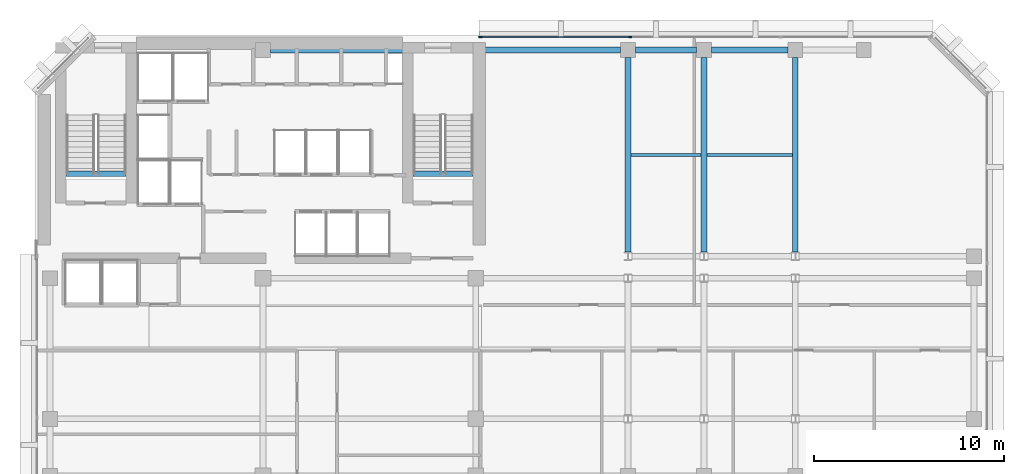
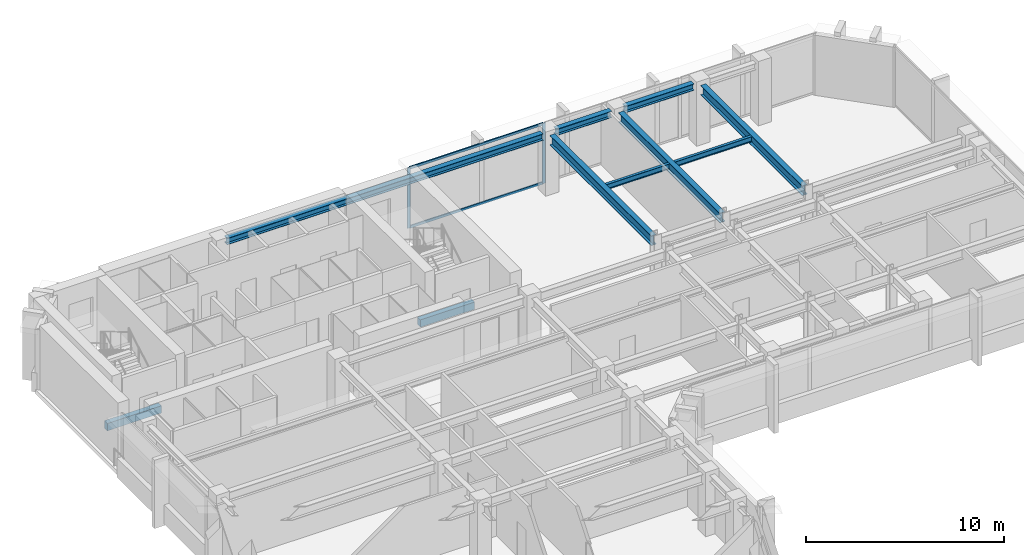
# One storey, part 4 of 12: 10 beams, 4 members, 1 element without a shape of its own.
"""IFC4 building model written with IfcOpenShell, lengths in metres."""

import ifcopenshell
import ifcopenshell.guid

model = None  # the IFC model being written
_history = None  # IfcOwnerHistory: only IFC2X3 demands one
_inside = {}  # id of a spatial element -> (the spatial element, [elements in it])
_under = {}  # id of a project, library or spatial element -> (it, [spatial elements below it])
_declared = {}  # id of a project -> (the project, [libraries it declares])
_typed = {}  # id of a type object -> (the type object, [elements of that type])
_made_of = {}  # id of a material, layer set ... -> (it, [elements and type objects made of it])


def new_model(schema):
    """Start an empty IFC model of exactly this schema.

    Asked for "IFC4X3", IfcOpenShell would pick the latest addendum, in which some entities
    have other attributes; the version numbers below select the first issue.
    IFC2X3 requires an IfcOwnerHistory on every rooted entity: one is made here for all.
    """
    global model, _history
    if schema == "IFC4X3":
        model = ifcopenshell.file(schema_version=(4, 3, 0, 0))
    else:
        model = ifcopenshell.file(schema=schema)
    _inside.clear()
    _under.clear()
    _declared.clear()
    _typed.clear()
    _made_of.clear()
    _history = None
    if model.schema == "IFC2X3":
        org = make("IfcOrganization", Name="unknown")
        user = make(
            "IfcPersonAndOrganization",
            ThePerson=make("IfcPerson", FamilyName="unknown"),
            TheOrganization=org,
        )
        app = make(
            "IfcApplication",
            ApplicationDeveloper=org,
            Version="unknown",
            ApplicationFullName="unknown",
            ApplicationIdentifier="unknown",
        )
        _history = make(
            "IfcOwnerHistory",
            OwningUser=user,
            OwningApplication=app,
            ChangeAction="ADDED",
            CreationDate=0,
        )
    return model


def make(cls, **values):
    """One entity of the class cls with the attributes given. An attribute that is None is left unset."""
    return model.create_entity(
        cls, **{name: value for name, value in values.items() if value is not None}
    )


def rooted(cls, **values):
    """An entity with a GlobalId (a new one), such as an element, a storey or a relation."""
    return make(cls, GlobalId=ifcopenshell.guid.new(), OwnerHistory=_history, **values)


def si_unit(unit_type, name, prefix=None):
    """IfcSIUnit, for example si_unit("LENGTHUNIT", "METRE", prefix="MILLI")."""
    return make("IfcSIUnit", UnitType=unit_type, Prefix=prefix, Name=name)


def assignment(units):
    """IfcUnitAssignment: the units of a project."""
    return None if units is None else make("IfcUnitAssignment", Units=units)


def point(xyz):
    """IfcCartesianPoint."""
    return None if xyz is None else make("IfcCartesianPoint", Coordinates=xyz)


def direction(xyz):
    """IfcDirection."""
    return None if xyz is None else make("IfcDirection", DirectionRatios=xyz)


def frame(location, z_axis=None, x_axis=None):
    """IfcAxis2Placement3D, a coordinate frame: its origin and axes. An axis left out is left unset."""
    return make(
        "IfcAxis2Placement3D",
        Location=point(location),
        Axis=direction(z_axis),
        RefDirection=direction(x_axis),
    )


def frame_2d(location, x_axis=None):
    """IfcAxis2Placement2D, a coordinate frame in the plane: its origin and x axis."""
    return make(
        "IfcAxis2Placement2D", Location=point(location), RefDirection=direction(x_axis)
    )


def origin():
    """The frame at (0, 0, 0) with its axes left unset."""
    return frame((0.0, 0.0, 0.0))


def origin_2d():
    """The frame at (0, 0) in the plane with its x axis left unset."""
    return frame_2d((0.0, 0.0))


def place(relative_to, where):
    """IfcLocalPlacement: puts the frame where relative to a parent placement (None: the world)."""
    return make(
        "IfcLocalPlacement", PlacementRelTo=relative_to, RelativePlacement=where
    )


def context(
    kind, dimensions, precision=None, world=None, true_north=None, identifier=None
):
    """IfcGeometricRepresentationContext, for example the 3D "Model" context."""
    return make(
        "IfcGeometricRepresentationContext",
        ContextIdentifier=identifier,
        ContextType=kind,
        CoordinateSpaceDimension=dimensions,
        Precision=precision,
        WorldCoordinateSystem=world,
        TrueNorth=true_north,
    )


def subcontext(parent, identifier, kind, view, scale=None):
    """IfcGeometricRepresentationSubContext, for example "Body" below "Model"."""
    return make(
        "IfcGeometricRepresentationSubContext",
        ContextIdentifier=identifier,
        ContextType=kind,
        ParentContext=parent,
        TargetScale=scale,
        TargetView=view,
    )


def project(units=None, contexts=None):
    """IfcProject with its units and contexts."""
    return rooted(
        "IfcProject",
        Name="project",
        RepresentationContexts=contexts,
        UnitsInContext=assignment(units),
    )


def spatial(cls, under=None, at=None, **own):
    """A site, building, storey or space (cls), placed at a placement, below another one or the project."""
    s = rooted(cls, ObjectPlacement=at, **own)
    if under is not None:
        _under.setdefault(under.id(), (under, []))[1].append(s)
    return s


def profile(cls, at=None, kind="AREA", **sizes):
    """A parametric profile (cls). Its sizes go by their IFC names, for example OverallWidth=200.0."""
    return make(cls, ProfileType=kind, Position=at, **sizes)


def rectangle(**sizes):
    """IfcRectangleProfileDef."""
    return profile("IfcRectangleProfileDef", **sizes)


def i_section(**sizes):
    """IfcIShapeProfileDef."""
    return profile("IfcIShapeProfileDef", **sizes)


def extrude(swept, where, along, depth):
    """IfcExtrudedAreaSolid: the profile swept, set in the frame where, extruded along a direction by depth."""
    return make(
        "IfcExtrudedAreaSolid",
        SweptArea=swept,
        Position=where,
        ExtrudedDirection=direction(along),
        Depth=depth,
    )


def shape(context_of_items, identifier, shape_type, items):
    """IfcShapeRepresentation: the items that make up one representation, for example the "Body"."""
    return make(
        "IfcShapeRepresentation",
        ContextOfItems=context_of_items,
        RepresentationIdentifier=identifier,
        RepresentationType=shape_type,
        Items=items,
    )


def material(Name=None, Category=None):
    """IfcMaterial."""
    return make("IfcMaterial", Name=Name, Category=Category)


def layer(
    of_material, thickness, ventilated=None, Name=None, Category=None, Priority=None
):
    """IfcMaterialLayer: one layer of a wall or slab, of a material (None: an air gap)."""
    return make(
        "IfcMaterialLayer",
        Material=of_material,
        LayerThickness=thickness,
        IsVentilated=ventilated,
        Name=Name,
        Category=Category,
        Priority=Priority,
    )


def layer_set(layers, Name=None):
    """IfcMaterialLayerSet."""
    return make("IfcMaterialLayerSet", MaterialLayers=layers, LayerSetName=Name)


def material_profile(
    of_material, cross_section, Name=None, Category=None, Priority=None
):
    """IfcMaterialProfile: a cross section and its material."""
    return make(
        "IfcMaterialProfile",
        Name=Name,
        Material=of_material,
        Profile=cross_section,
        Priority=Priority,
        Category=Category,
    )


def profile_set(profiles, Name=None, composite=None):
    """IfcMaterialProfileSet."""
    return make(
        "IfcMaterialProfileSet",
        Name=Name,
        MaterialProfiles=profiles,
        CompositeProfile=composite,
    )


def made_of(thing, what):
    """Note that an element or type object is made of a material, layer set ...; save() writes the relation."""
    if what is not None:
        _made_of.setdefault(what.id(), (what, []))[1].append(thing)
    return thing


def type_object(cls, material=None, **own):
    """A type object (cls), such as IfcWallType, which elements share."""
    return made_of(rooted(cls, **own), material)


def element(
    cls,
    number,
    at=None,
    inside=None,
    cuts=None,
    type_object=None,
    material=None,
    context=None,
    identifier="Body",
    shape_type=None,
    held_by="IfcProductDefinitionShape",
    body=None,
    shapes=None,
    **own,
):
    """One element of the class cls, such as IfcWall. Its Tag is "e" and its number.

    at: its placement. inside: the storey or other place that contains it. cuts: it is an
    opening in that element (IfcRelVoidsElement). A single representation is given by context,
    identifier, shape_type and body (its items); several are given by shapes. held_by: the class
    of the entity that holds the representations. save() writes the other relations.
    """
    e = rooted(cls, Tag="e%d" % number, ObjectPlacement=at, **own)
    if body is not None:
        shapes = [shape(context, identifier, shape_type, body)]
    if shapes is not None:
        e.Representation = make(held_by, Representations=shapes)
    if inside is not None:
        _inside.setdefault(inside.id(), (inside, []))[1].append(e)
    if cuts is not None:
        rooted(
            "IfcRelVoidsElement", RelatingBuildingElement=cuts, RelatedOpeningElement=e
        )
    if type_object is not None:
        _typed.setdefault(type_object.id(), (type_object, []))[1].append(e)
    return made_of(e, material)


def aggregate(whole, parts):
    """IfcRelAggregates: a whole, such as a stair, and the parts it consists of."""
    return rooted("IfcRelAggregates", RelatingObject=whole, RelatedObjects=parts)


def save(model, path):
    """Write the relations noted so far, then the file.

    IfcRelAggregates (storeys below a building ...), IfcRelContainedInSpatialStructure (elements
    in a storey), IfcRelDefinesByType, IfcRelAssociatesMaterial and IfcRelDeclares: one each for
    every whole, place, type object, material and project.
    """
    for whole, parts in _under.values():
        aggregate(whole, parts)
    for where, things in _inside.values():
        rooted(
            "IfcRelContainedInSpatialStructure",
            RelatedElements=things,
            RelatingStructure=where,
        )
    for kind, things in _typed.values():
        rooted("IfcRelDefinesByType", RelatedObjects=things, RelatingType=kind)
    for what, things in _made_of.values():
        rooted("IfcRelAssociatesMaterial", RelatedObjects=things, RelatingMaterial=what)
    for by, libraries in _declared.values():
        rooted("IfcRelDeclares", RelatingContext=by, RelatedDefinitions=libraries)
    model.write(path)


model = new_model("IFC4")

# Units and contexts
model_context = context("Model", 3, precision=1e-05, world=origin(), true_north=direction((0.0, 1.0)))
body_context = subcontext(model_context, "Body", "Model", "MODEL_VIEW")
ifc_project = project(units=[si_unit("LENGTHUNIT", "METRE"), si_unit("AREAUNIT", "SQUARE_METRE"), si_unit("VOLUMEUNIT", "CUBIC_METRE"), si_unit("PLANEANGLEUNIT", "RADIAN"), si_unit("MASSUNIT", "GRAM", prefix="KILO")], contexts=[model_context])

# Site, building, storey
site_placement = place(None, origin())
site = spatial("IfcSite", under=ifc_project, at=site_placement, CompositionType="ELEMENT")
building_placement = place(site_placement, origin())
building = spatial("IfcBuilding", under=site, at=building_placement, Name="Kefirva Bronze Tower", CompositionType="ELEMENT")
storey_placement = place(building_placement, frame((0.0, 0.0, 211.199951171875)))
storey = spatial("IfcBuildingStorey", under=building, at=storey_placement, Name="L51", CompositionType="ELEMENT", Elevation=211.199951171875)

# Curtain wall, members
ifc_material_1 = material(Name="Bronze anodised aluminium", Category="aluminium")
ifc_layer = layer(ifc_material_1, 0.179931640625, Name="Bronze anodised aluminium")
ifc_layer_set = layer_set([ifc_layer], Name="Bronze anodised aluminium")
curtain_wall_type = type_object("IfcCurtainWallType", Name="Unitised Bronze Ribbon Curtain Wall Zone 3", PredefinedType="USERDEFINED", material=ifc_layer_set)
curtain_wall_placement = place(storey_placement, origin())
curtain_wall = element("IfcCurtainWall", 1, at=curtain_wall_placement, inside=storey, type_object=curtain_wall_type, Name="L51 Curtain Wall 3", ObjectType="UNITISED CURTAIN WALL", PredefinedType="USERDEFINED")
ifc_material_profile_1 = material_profile(ifc_material_1, rectangle(XDim=0.074951171875, YDim=0.179931640625, at=origin_2d()), Name="ALU 75x180")
ifc_profile_set_1 = profile_set([ifc_material_profile_1], Name="Bronze anodised aluminium")
member_type_1 = type_object("IfcMemberType", Name="Bronze Mullion 75x180", PredefinedType="MULLION", material=ifc_profile_set_1)
member_1_placement = place(storey_placement, frame((31.318359375, 45.8798828125, 0.0), z_axis=(0.0, 0.0, 1.0), x_axis=(0.0, -1.0, 0.0)))
member_1 = element("IfcMember", 2, at=member_1_placement, type_object=member_type_1, Name="CW-03 mullion 3", PredefinedType="MULLION", context=body_context, shape_type="SweptSolid", body=[
    extrude(rectangle(XDim=0.074951171875, YDim=0.179931640625, at=origin_2d()), origin(), (0.0, 0.0, 1.0), 3.7099609375),
])
member_2_placement = place(storey_placement, frame((23.4423828125, 45.8798828125, 0.0), z_axis=(0.0, 0.0, 1.0), x_axis=(0.0, -1.0, 0.0)))
member_2 = element("IfcMember", 3, at=member_2_placement, type_object=member_type_1, Name="CW-03 mullion 4", PredefinedType="MULLION", context=body_context, shape_type="SweptSolid", body=[
    extrude(rectangle(XDim=0.074951171875, YDim=0.179931640625, at=origin_2d()), origin(), (0.0, 0.0, 1.0), 3.7099609375),
])
ifc_material_profile_2 = material_profile(ifc_material_1, rectangle(XDim=0.074951171875, YDim=0.14990234375, at=origin_2d()), Name="ALU 75x150")
ifc_profile_set_2 = profile_set([ifc_material_profile_2], Name="Bronze anodised aluminium")
member_type_2 = type_object("IfcMemberType", Name="Bronze Transom 75x150", PredefinedType="USERDEFINED", material=ifc_profile_set_2)
member_3_placement = place(storey_placement, frame((31.28076171875, 45.8798828125, 0.03759765625), z_axis=(-1.0, 0.0, 0.0), x_axis=(0.0, -1.0, 0.0)))
member_3 = element("IfcMember", 4, at=member_3_placement, type_object=member_type_2, Name="CW-03 transom 3.1", ObjectType="TRANSOM", PredefinedType="USERDEFINED", context=body_context, shape_type="SweptSolid", body=[
    extrude(rectangle(XDim=0.074951171875, YDim=0.14990234375, at=origin_2d()), origin(), (0.0, 0.0, 1.0), 7.80078125),
])
member_4_placement = place(storey_placement, frame((31.28076171875, 45.8798828125, 3.672607421875), z_axis=(-1.0, 0.0, 0.0), x_axis=(0.0, -1.0, 0.0)))
member_4 = element("IfcMember", 5, at=member_4_placement, type_object=member_type_2, Name="CW-03 transom 3.2", ObjectType="TRANSOM", PredefinedType="USERDEFINED", context=body_context, shape_type="SweptSolid", body=[
    extrude(rectangle(XDim=0.074951171875, YDim=0.14990234375, at=origin_2d()), origin(), (0.0, 0.0, 1.0), 7.80078125),
])
aggregate(curtain_wall, [member_1, member_2, member_3, member_4])

# Beams
ifc_material_2 = material(Name="Concrete C50/60", Category="concrete")
ifc_material_profile_3 = material_profile(ifc_material_2, rectangle(XDim=0.300048828125, YDim=0.449951171875, at=origin_2d()), Name="RC 300x450")
ifc_profile_set_3 = profile_set([ifc_material_profile_3], Name="Concrete C50/60")
beam_type_1 = type_object("IfcBeamType", Name="RC Stair Trimmer Beam 300x450", PredefinedType="BEAM", material=ifc_profile_set_3)
beam_1_placement = place(storey_placement, frame((1.64501953125, 38.699951171875, -0.224853515625), z_axis=(1.0, 0.0, 0.0), x_axis=(0.0, 1.0, 0.0)))
element("IfcBeam", 6, at=beam_1_placement, inside=storey, type_object=beam_type_1, Name="L51 Stair 1 Landing Trimmer Beam", PredefinedType="BEAM", context=body_context, shape_type="SweptSolid", body=[
    extrude(rectangle(XDim=0.300048828125, YDim=0.449951171875, at=origin_2d()), origin(), (0.0, 0.0, 1.0), 3.14990234375),
])
beam_2_placement = place(storey_placement, frame((19.89501953125, 38.699951171875, -0.224853515625), z_axis=(1.0, 0.0, 0.0), x_axis=(0.0, 1.0, 0.0)))
element("IfcBeam", 7, at=beam_2_placement, inside=storey, type_object=beam_type_1, Name="L51 Stair 2 Landing Trimmer Beam", PredefinedType="BEAM", context=body_context, shape_type="SweptSolid", body=[
    extrude(rectangle(XDim=0.300048828125, YDim=0.449951171875, at=origin_2d()), origin(), (0.0, 0.0, 1.0), 3.159912109375),
])
ifc_material_3 = material(Name="Steel S355", Category="steel")
ifc_material_profile_4 = material_profile(ifc_material_3, i_section(OverallWidth=0.159912109375, OverallDepth=0.330078125, WebThickness=0.007568359375, FlangeThickness=0.011474609375, at=origin_2d()), Name="IPE 330")
ifc_profile_set_4 = profile_set([ifc_material_profile_4], Name="Steel S355")
beam_type_2 = type_object("IfcBeamType", Name="Steel Floor Joist IPE 330", PredefinedType="JOIST", material=ifc_profile_set_4)
beam_3_placement = place(storey_placement, frame((31.35009765625, 39.688720703125, 3.51513671875), z_axis=(1.0, 0.0, 0.0), x_axis=(0.0, 1.0, 0.0)))
element("IfcBeam", 8, at=beam_3_placement, inside=storey, type_object=beam_type_2, Name="L51 JST-L51-31-396", PredefinedType="JOIST", context=body_context, shape_type="SweptSolid", body=[
    extrude(i_section(OverallWidth=0.159912109375, OverallDepth=0.330078125, WebThickness=0.007568359375, FlangeThickness=0.011474609375, at=origin_2d()), origin(), (0.0, 0.0, 1.0), 3.699951171875),
])
beam_4_placement = place(storey_placement, frame((35.35009765625, 39.688720703125, 3.51513671875), z_axis=(1.0, 0.0, 0.0), x_axis=(0.0, 1.0, 0.0)))
element("IfcBeam", 9, at=beam_4_placement, inside=storey, type_object=beam_type_2, Name="L51 JST-L51-35-396", PredefinedType="JOIST", context=body_context, shape_type="SweptSolid", body=[
    extrude(i_section(OverallWidth=0.159912109375, OverallDepth=0.330078125, WebThickness=0.007568359375, FlangeThickness=0.011474609375, at=origin_2d()), origin(), (0.0, 0.0, 1.0), 4.5),
])
ifc_material_profile_5 = material_profile(ifc_material_3, i_section(OverallWidth=0.300048828125, OverallDepth=0.60009765625, WebThickness=0.015380859375, FlangeThickness=0.030029296875, at=origin_2d()), Name="HEB 600")
ifc_profile_set_5 = profile_set([ifc_material_profile_5], Name="Steel S355")
beam_type_3 = type_object("IfcBeamType", Name="Steel Girder HEB 600", PredefinedType="USERDEFINED", material=ifc_profile_set_5)
for number, where, z_axis, x_axis, name in (
    (10, (31.199951171875, 34.5673828125, 3.380126953125), (0.0, 1.0, 0.0), (-1.0, 0.0, 0.0), "L51 BM-L51-NS-312-34"),
    (11, (35.199951171875, 34.5673828125, 3.380126953125), (0.0, 1.0, 0.0), (-1.0, 0.0, 0.0), "L51 BM-L51-NS-352-34"),
    (12, (40.0, 34.5673828125, 3.380126953125), (0.0, 1.0, 0.0), (-1.0, 0.0, 0.0), "L51 BM-L51-NS-400-34"),
):
    element("IfcBeam", number, at=place(storey_placement, frame(where, z_axis=z_axis, x_axis=x_axis)), inside=storey, type_object=beam_type_3, Name=name, ObjectType="GIRDER", PredefinedType="USERDEFINED", context=body_context, shape_type="SweptSolid", body=[
        extrude(i_section(OverallWidth=0.300048828125, OverallDepth=0.60009765625, WebThickness=0.015380859375, FlangeThickness=0.030029296875, at=origin_2d()), origin(), (0.0, 0.0, 1.0), 10.24267578125),
    ])
ifc_material_profile_6 = material_profile(ifc_material_3, i_section(OverallWidth=0.300048828125, OverallDepth=0.39990234375, WebThickness=0.013427734375, FlangeThickness=0.02392578125, at=origin_2d()), Name="HEB 400")
ifc_profile_set_6 = profile_set([ifc_material_profile_6], Name="Steel S355")
beam_type_4 = type_object("IfcBeamType", Name="Steel Spandrel HEB 400 Ext", PredefinedType="SPANDREL", material=ifc_profile_set_6)
beam_5_placement = place(storey_placement, frame((12.389892578125, 45.199951171875, 3.510009765625), z_axis=(1.0, 0.0, 0.0), x_axis=(0.0, 1.0, 0.0)))
element("IfcBeam", 13, at=beam_5_placement, inside=storey, type_object=beam_type_4, Name="L51 BM-L51-EW-12-452", PredefinedType="SPANDREL", context=body_context, shape_type="SweptSolid", body=[
    extrude(i_section(OverallWidth=0.300048828125, OverallDepth=0.39990234375, WebThickness=0.013427734375, FlangeThickness=0.02392578125, at=origin_2d()), origin(), (0.0, 0.0, 1.0), 18.420166015625),
])
beam_6_placement = place(storey_placement, frame((31.590087890625, 45.199951171875, 3.510009765625), z_axis=(1.0, 0.0, 0.0), x_axis=(0.0, 1.0, 0.0)))
element("IfcBeam", 14, at=beam_6_placement, inside=storey, type_object=beam_type_4, Name="L51 BM-L51-EW-31-452", PredefinedType="SPANDREL", context=body_context, shape_type="SweptSolid", body=[
    extrude(i_section(OverallWidth=0.300048828125, OverallDepth=0.39990234375, WebThickness=0.013427734375, FlangeThickness=0.02392578125, at=origin_2d()), origin(), (0.0, 0.0, 1.0), 3.219970703125),
])
beam_7_placement = place(storey_placement, frame((35.590087890625, 45.199951171875, 3.510009765625), z_axis=(1.0, 0.0, 0.0), x_axis=(0.0, 1.0, 0.0)))
element("IfcBeam", 15, at=beam_7_placement, inside=storey, type_object=beam_type_4, Name="L51 BM-L51-EW-35-452", PredefinedType="SPANDREL", context=body_context, shape_type="SweptSolid", body=[
    extrude(i_section(OverallWidth=0.300048828125, OverallDepth=0.39990234375, WebThickness=0.013427734375, FlangeThickness=0.02392578125, at=origin_2d()), origin(), (0.0, 0.0, 1.0), 4.02001953125),
])

save(model, "model.ifc")
